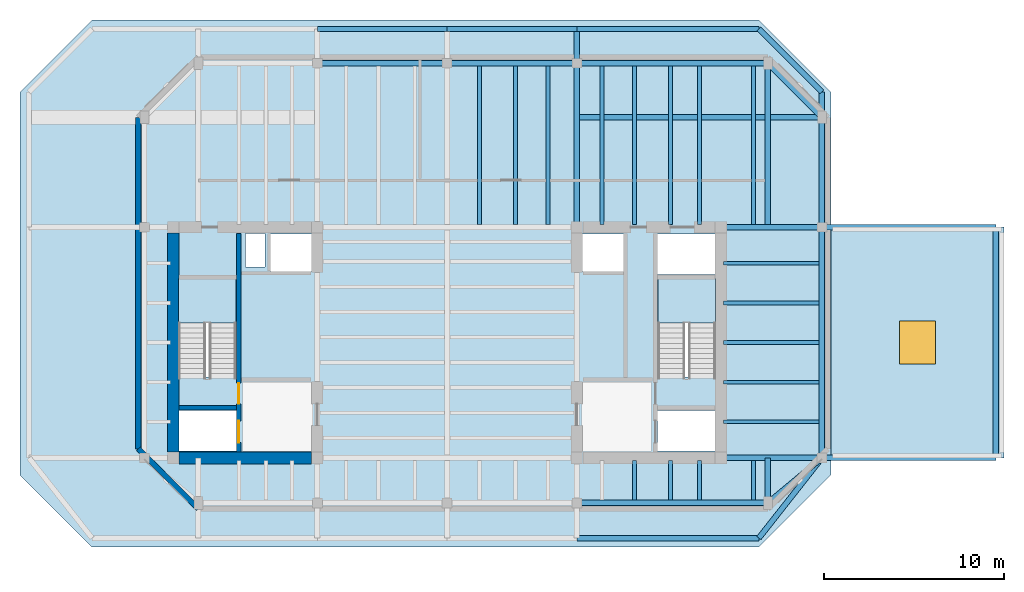
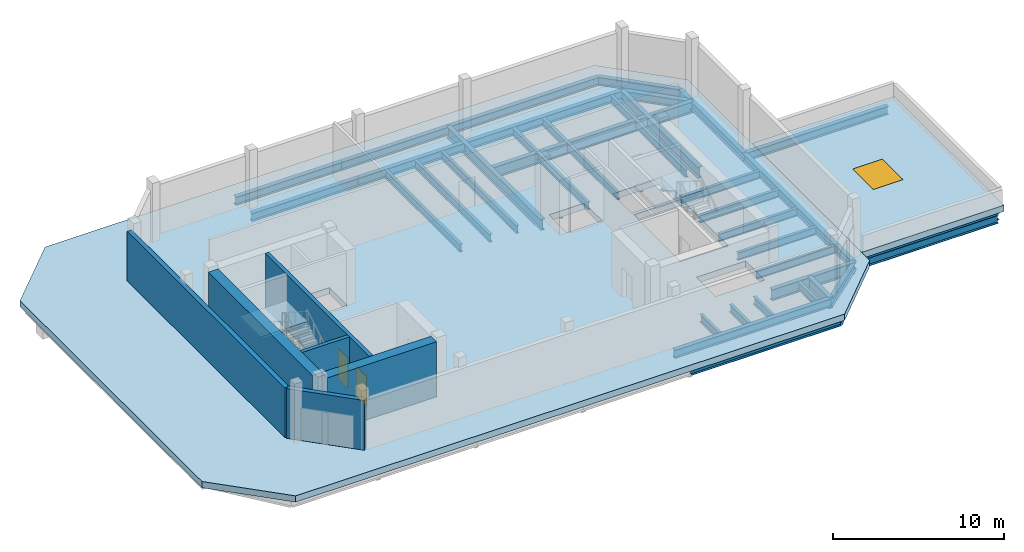
# One storey, part 2 of 5: 40 beams, 6 walls, 4 slabs, 2 doors, 1 window, 3 openings, 2 elements without a shape of their own.
"""IFC4 building model written with IfcOpenShell, lengths in metres."""

from ifc_helpers import new_model, si_unit, direction, frame, frame_2d, origin, origin_2d, place, context, subcontext, project, spatial, polyline, rectangle, i_section, outline, extrude, material, layer, layer_set, material_profile, profile_set, type_object, element, fill, aggregate, save


model = new_model("IFC4")

# Units and contexts
model_context = context("Model", 3, precision=1e-05, world=origin(), true_north=direction((0.0, 1.0)))
body_context = subcontext(model_context, "Body", "Model", "MODEL_VIEW")
ifc_project = project(units=[si_unit("LENGTHUNIT", "METRE"), si_unit("AREAUNIT", "SQUARE_METRE"), si_unit("VOLUMEUNIT", "CUBIC_METRE"), si_unit("PLANEANGLEUNIT", "RADIAN"), si_unit("MASSUNIT", "GRAM", prefix="KILO")], contexts=[model_context])

# Site, building, storey
site_placement = place(None, origin())
site = spatial("IfcSite", under=ifc_project, at=site_placement, CompositionType="ELEMENT")
building_placement = place(site_placement, origin())
building = spatial("IfcBuilding", under=site, at=building_placement, Name="Kranthara Brick Stack", CompositionType="ELEMENT")
storey_placement = place(building_placement, frame((0.0, 0.0, 292.199951171875)))
storey = spatial("IfcBuildingStorey", under=building, at=storey_placement, Name="L77", CompositionType="ELEMENT", Elevation=292.199951171875)

# Beams
ifc_material_1 = material(Name="Steel S355", Category="steel")
ifc_material_profile_1 = material_profile(ifc_material_1, i_section(OverallWidth=0.2099609375, OverallDepth=0.550048828125, WebThickness=0.010986328125, FlangeThickness=0.01708984375, at=origin_2d()), Name="IPE 550")
ifc_profile_set_1 = profile_set([ifc_material_profile_1], Name="Steel S355")
beam_type_1 = type_object("IfcBeamType", Name="BM-JST-IPE550", PredefinedType="JOIST", material=ifc_profile_set_1)
for number, where, z_axis, x_axis, name in (
    (1, (29.800048828125, 33.75, -0.724853515625), (0.0, 1.0, 0.0), (-1.0, 0.0, 0.0), "L77 North Wing Floor Joist 083"),
    (2, (31.800048828125, 33.75, -0.724853515625), (0.0, 1.0, 0.0), (-1.0, 0.0, 0.0), "L77 North Wing Floor Joist 085"),
    (3, (33.60009765625, 33.75, -0.724853515625), (0.0, 1.0, 0.0), (-1.0, 0.0, 0.0), "L77 North Wing Floor Joist 087"),
    (4, (36.60009765625, 33.75, -0.724853515625), (0.0, 1.0, 0.0), (-1.0, 0.0, 0.0), "L77 North Wing Floor Joist 089"),
):
    element("IfcBeam", number, at=place(storey_placement, frame(where, z_axis=z_axis, x_axis=x_axis)), inside=storey, type_object=beam_type_1, Name=name, PredefinedType="JOIST", context=body_context, shape_type="SweptSolid", body=[
        extrude(i_section(OverallWidth=0.2099609375, OverallDepth=0.550048828125, WebThickness=0.010986328125, FlangeThickness=0.01708984375, at=origin_2d()), origin(), (0.0, 0.0, 1.0), 8.800048828125),
    ])
beam_1_placement = place(storey_placement, frame((38.39990234375, 18.449951171875, -0.724853515625), z_axis=(0.0, 1.0, 0.0), x_axis=(-1.0, 0.0, 0.0)))
element("IfcBeam", 5, at=beam_1_placement, inside=storey, type_object=beam_type_1, Name="L77 South Wing Floor Joist 090", PredefinedType="JOIST", context=body_context, shape_type="SweptSolid", body=[
    extrude(i_section(OverallWidth=0.2099609375, OverallDepth=0.550048828125, WebThickness=0.010986328125, FlangeThickness=0.01708984375, at=origin_2d()), origin(), (0.0, 0.0, 1.0), 2.199951171875),
])
beam_2_placement = place(storey_placement, frame((38.39990234375, 33.75, -0.724853515625), z_axis=(0.0, 1.0, 0.0), x_axis=(-1.0, 0.0, 0.0)))
element("IfcBeam", 6, at=beam_2_placement, inside=storey, type_object=beam_type_1, Name="L77 North Wing Floor Joist 091", PredefinedType="JOIST", context=body_context, shape_type="SweptSolid", body=[
    extrude(i_section(OverallWidth=0.2099609375, OverallDepth=0.550048828125, WebThickness=0.010986328125, FlangeThickness=0.01708984375, at=origin_2d()), origin(), (0.0, 0.0, 1.0), 8.800048828125),
])
beam_3_placement = place(storey_placement, frame((40.39990234375, 18.449951171875, -0.724853515625), z_axis=(0.0, 1.0, 0.0), x_axis=(-1.0, 0.0, 0.0)))
element("IfcBeam", 7, at=beam_3_placement, inside=storey, type_object=beam_type_1, Name="L77 South Wing Floor Joist 092", PredefinedType="JOIST", context=body_context, shape_type="SweptSolid", body=[
    extrude(i_section(OverallWidth=0.2099609375, OverallDepth=0.550048828125, WebThickness=0.010986328125, FlangeThickness=0.01708984375, at=origin_2d()), origin(), (0.0, 0.0, 1.0), 2.199951171875),
])
beam_4_placement = place(storey_placement, frame((40.39990234375, 33.75, -0.724853515625), z_axis=(0.0, 1.0, 0.0), x_axis=(-1.0, 0.0, 0.0)))
element("IfcBeam", 8, at=beam_4_placement, inside=storey, type_object=beam_type_1, Name="L77 North Wing Floor Joist 093", PredefinedType="JOIST", context=body_context, shape_type="SweptSolid", body=[
    extrude(i_section(OverallWidth=0.2099609375, OverallDepth=0.550048828125, WebThickness=0.010986328125, FlangeThickness=0.01708984375, at=origin_2d()), origin(), (0.0, 0.0, 1.0), 8.800048828125),
])
beam_5_placement = place(storey_placement, frame((42.0, 18.449951171875, -0.724853515625), z_axis=(0.0, 1.0, 0.0), x_axis=(-1.0, 0.0, 0.0)))
element("IfcBeam", 9, at=beam_5_placement, inside=storey, type_object=beam_type_1, Name="L77 South Wing Floor Joist 094", PredefinedType="JOIST", context=body_context, shape_type="SweptSolid", body=[
    extrude(i_section(OverallWidth=0.2099609375, OverallDepth=0.550048828125, WebThickness=0.010986328125, FlangeThickness=0.01708984375, at=origin_2d()), origin(), (0.0, 0.0, 1.0), 2.199951171875),
])
beam_6_placement = place(storey_placement, frame((42.0, 33.75, -0.724853515625), z_axis=(0.0, 1.0, 0.0), x_axis=(-1.0, 0.0, 0.0)))
element("IfcBeam", 10, at=beam_6_placement, inside=storey, type_object=beam_type_1, Name="L77 North Wing Floor Joist 095", PredefinedType="JOIST", context=body_context, shape_type="SweptSolid", body=[
    extrude(i_section(OverallWidth=0.2099609375, OverallDepth=0.550048828125, WebThickness=0.010986328125, FlangeThickness=0.01708984375, at=origin_2d()), origin(), (0.0, 0.0, 1.0), 8.800048828125),
])
beam_7_placement = place(storey_placement, frame((45.0, 18.449951171875, -0.724853515625), z_axis=(0.0, 1.0, 0.0), x_axis=(-1.0, 0.0, 0.0)))
element("IfcBeam", 11, at=beam_7_placement, inside=storey, type_object=beam_type_1, Name="L77 South Wing Floor Joist 096", PredefinedType="JOIST", context=body_context, shape_type="SweptSolid", body=[
    extrude(i_section(OverallWidth=0.2099609375, OverallDepth=0.550048828125, WebThickness=0.010986328125, FlangeThickness=0.01708984375, at=origin_2d()), origin(), (0.0, 0.0, 1.0), 2.199951171875),
])
beam_8_placement = place(storey_placement, frame((45.0, 33.75, -0.724853515625), z_axis=(0.0, 1.0, 0.0), x_axis=(-1.0, 0.0, 0.0)))
element("IfcBeam", 12, at=beam_8_placement, inside=storey, type_object=beam_type_1, Name="L77 North Wing Floor Joist 097", PredefinedType="JOIST", context=body_context, shape_type="SweptSolid", body=[
    extrude(i_section(OverallWidth=0.2099609375, OverallDepth=0.550048828125, WebThickness=0.010986328125, FlangeThickness=0.01708984375, at=origin_2d()), origin(), (0.0, 0.0, 1.0), 8.800048828125),
])
for number, where, z_axis, x_axis, name in (
    (13, (43.35009765625, 22.800048828125, -0.724853515625), (1.0, 0.0, 0.0), (0.0, 1.0, 0.0), "L77 East Wing Floor Joist 099"),
    (14, (43.35009765625, 25.0, -0.724853515625), (1.0, 0.0, 0.0), (0.0, 1.0, 0.0), "L77 East Wing Floor Joist 101"),
    (15, (43.35009765625, 27.199951171875, -0.724853515625), (1.0, 0.0, 0.0), (0.0, 1.0, 0.0), "L77 East Wing Floor Joist 103"),
    (16, (43.35009765625, 29.39990234375, -0.724853515625), (1.0, 0.0, 0.0), (0.0, 1.0, 0.0), "L77 East Wing Floor Joist 105"),
    (17, (43.35009765625, 31.60009765625, -0.724853515625), (1.0, 0.0, 0.0), (0.0, 1.0, 0.0), "L77 East Wing Floor Joist 107"),
):
    element("IfcBeam", number, at=place(storey_placement, frame(where, z_axis=z_axis, x_axis=x_axis)), inside=storey, type_object=beam_type_1, Name=name, PredefinedType="JOIST", context=body_context, shape_type="SweptSolid", body=[
        extrude(i_section(OverallWidth=0.2099609375, OverallDepth=0.550048828125, WebThickness=0.010986328125, FlangeThickness=0.01708984375, at=origin_2d()), origin(), (0.0, 0.0, 1.0), 5.2998046875),
    ])
ifc_material_2 = material(Name="Steel S355", Category="steel")
ifc_material_profile_2 = material_profile(ifc_material_2, i_section(OverallWidth=0.300048828125, OverallDepth=0.5, WebThickness=0.014404296875, FlangeThickness=0.028076171875, at=origin_2d()), Name="HEB 500")
ifc_profile_set_2 = profile_set([ifc_material_profile_2], Name="Steel S355")
beam_type_2 = type_object("IfcBeamType", Name="BM-STL-HEB500", PredefinedType="BEAM", material=ifc_profile_set_2)
beam_9_placement = place(storey_placement, frame((58.449951171875, 20.800048828125, -0.699951171875), z_axis=(0.0, 1.0, 0.0), x_axis=(-1.0, 0.0, 0.0)))
element("IfcBeam", 18, at=beam_9_placement, inside=storey, type_object=beam_type_2, Name="L77 Sky Pool Roof Edge Beam 110", PredefinedType="BEAM", context=body_context, shape_type="SweptSolid", body=[
    extrude(i_section(OverallWidth=0.300048828125, OverallDepth=0.5, WebThickness=0.014404296875, FlangeThickness=0.028076171875, at=origin_2d()), origin(), (0.0, 0.0, 1.0), 12.800048828125),
])
ifc_material_3 = material(Name="Steel S355", Category="steel")
ifc_material_profile_3 = material_profile(ifc_material_3, i_section(OverallWidth=0.300048828125, OverallDepth=0.60009765625, WebThickness=0.015380859375, FlangeThickness=0.030029296875, at=origin_2d()), Name="HEB 600")
ifc_profile_set_3 = profile_set([ifc_material_profile_3], Name="Steel S355")
beam_type_3 = type_object("IfcBeamType", Name="BM-STL-HEB600", PredefinedType="BEAM", material=ifc_profile_set_3)
beam_10_placement = place(storey_placement, frame((35.199951171875, 16.35009765625, -0.75), z_axis=(1.0, 0.0, 0.0), x_axis=(0.0, 1.0, 0.0)))
element("IfcBeam", 19, at=beam_10_placement, inside=storey, type_object=beam_type_3, Name="L77 Perimeter Spandrel Beam 008", PredefinedType="BEAM", context=body_context, shape_type="SweptSolid", body=[
    extrude(i_section(OverallWidth=0.300048828125, OverallDepth=0.60009765625, WebThickness=0.015380859375, FlangeThickness=0.030029296875, at=origin_2d()), origin(), (0.0, 0.0, 1.0), 10.10009765625),
])
for number, where, z_axis, x_axis, name in (
    (20, (20.800048828125, 44.60009765625, -0.75), (1.0, 0.0, 0.0), (0.0, 1.0, 0.0), "L77 Perimeter Spandrel Beam 010"),
    (21, (28.0, 44.60009765625, -0.75), (1.0, 0.0, 0.0), (0.0, 1.0, 0.0), "L77 Perimeter Spandrel Beam 011"),
):
    element("IfcBeam", number, at=place(storey_placement, frame(where, z_axis=z_axis, x_axis=x_axis)), inside=storey, type_object=beam_type_3, Name=name, PredefinedType="BEAM", context=body_context, shape_type="SweptSolid", body=[
        extrude(i_section(OverallWidth=0.300048828125, OverallDepth=0.60009765625, WebThickness=0.015380859375, FlangeThickness=0.030029296875, at=origin_2d()), origin(), (0.0, 0.0, 1.0), 7.199951171875),
    ])
beam_11_placement = place(storey_placement, frame((35.199951171875, 44.60009765625, -0.75), z_axis=(1.0, 0.0, 0.0), x_axis=(0.0, 1.0, 0.0)))
element("IfcBeam", 22, at=beam_11_placement, inside=storey, type_object=beam_type_3, Name="L77 Perimeter Spandrel Beam 012", PredefinedType="BEAM", context=body_context, shape_type="SweptSolid", body=[
    extrude(i_section(OverallWidth=0.300048828125, OverallDepth=0.60009765625, WebThickness=0.015380859375, FlangeThickness=0.030029296875, at=origin_2d()), origin(), (0.0, 0.0, 1.0), 10.10009765625),
])
beam_12_placement = place(storey_placement, frame((48.800048828125, 20.800048828125, -0.75), z_axis=(0.0, 1.0, 0.0), x_axis=(-1.0, 0.0, 0.0)))
element("IfcBeam", 23, at=beam_12_placement, inside=storey, type_object=beam_type_3, Name="L77 Perimeter Spandrel Beam 015", PredefinedType="BEAM", context=body_context, shape_type="SweptSolid", body=[
    extrude(i_section(OverallWidth=0.300048828125, OverallDepth=0.60009765625, WebThickness=0.015380859375, FlangeThickness=0.030029296875, at=origin_2d()), origin(), (0.0, 0.0, 1.0), 12.800048828125),
])
beam_13_placement = place(storey_placement, frame((48.800048828125, 33.60009765625, -0.75), z_axis=(0.0, 1.0, 0.0), x_axis=(-1.0, 0.0, 0.0)))
element("IfcBeam", 24, at=beam_13_placement, inside=storey, type_object=beam_type_3, Name="L77 Perimeter Spandrel Beam 016", PredefinedType="BEAM", context=body_context, shape_type="SweptSolid", body=[
    extrude(i_section(OverallWidth=0.300048828125, OverallDepth=0.60009765625, WebThickness=0.015380859375, FlangeThickness=0.030029296875, at=origin_2d()), origin(), (0.0, 0.0, 1.0), 7.5),
])
beam_14_placement = place(storey_placement, frame((45.300048828125, 16.35009765625, -0.75), z_axis=(0.618215705636, 0.78600848679, 0.0), x_axis=(-0.78600848679, 0.618215705636, 0.0)))
element("IfcBeam", 25, at=beam_14_placement, inside=storey, type_object=beam_type_3, Name="L77 Chamfer Corner Spandrel 018", PredefinedType="BEAM", context=body_context, shape_type="SweptSolid", body=[
    extrude(i_section(OverallWidth=0.300048828125, OverallDepth=0.60009765625, WebThickness=0.015380859375, FlangeThickness=0.030029296875, at=origin_2d()), origin(), (0.0, 0.0, 1.0), 5.661376953125),
])
beam_15_placement = place(storey_placement, frame((45.300048828125, 44.60009765625, -0.75), z_axis=(0.707106781187, -0.707106781187, 0.0), x_axis=(0.707106781187, 0.707106781187, 0.0)))
element("IfcBeam", 26, at=beam_15_placement, inside=storey, type_object=beam_type_3, Name="L77 Chamfer Corner Spandrel 020", PredefinedType="BEAM", context=body_context, shape_type="SweptSolid", body=[
    extrude(i_section(OverallWidth=0.300048828125, OverallDepth=0.60009765625, WebThickness=0.015380859375, FlangeThickness=0.030029296875, at=origin_2d()), origin(), (0.0, 0.0, 1.0), 4.94970703125),
])
beam_16_placement = place(storey_placement, frame((35.199951171875, 18.300048828125, -0.75), z_axis=(1.0, 0.0, 0.0), x_axis=(0.0, 1.0, 0.0)))
element("IfcBeam", 27, at=beam_16_placement, inside=storey, type_object=beam_type_3, Name="L77 Perimeter Spandrel Beam 024", PredefinedType="BEAM", context=body_context, shape_type="SweptSolid", body=[
    extrude(i_section(OverallWidth=0.300048828125, OverallDepth=0.60009765625, WebThickness=0.015380859375, FlangeThickness=0.030029296875, at=origin_2d()), origin(), (0.0, 0.0, 1.0), 10.60009765625),
])
for number, where, z_axis, x_axis, name in (
    (28, (20.800048828125, 42.699951171875, -0.75), (1.0, 0.0, 0.0), (0.0, 1.0, 0.0), "L77 Perimeter Spandrel Beam 026"),
    (29, (28.0, 42.699951171875, -0.75), (1.0, 0.0, 0.0), (0.0, 1.0, 0.0), "L77 Perimeter Spandrel Beam 027"),
):
    element("IfcBeam", number, at=place(storey_placement, frame(where, z_axis=z_axis, x_axis=x_axis)), inside=storey, type_object=beam_type_3, Name=name, PredefinedType="BEAM", context=body_context, shape_type="SweptSolid", body=[
        extrude(i_section(OverallWidth=0.300048828125, OverallDepth=0.60009765625, WebThickness=0.015380859375, FlangeThickness=0.030029296875, at=origin_2d()), origin(), (0.0, 0.0, 1.0), 7.199951171875),
    ])
beam_17_placement = place(storey_placement, frame((35.199951171875, 42.699951171875, -0.75), z_axis=(1.0, 0.0, 0.0), x_axis=(0.0, 1.0, 0.0)))
element("IfcBeam", 30, at=beam_17_placement, inside=storey, type_object=beam_type_3, Name="L77 Perimeter Spandrel Beam 028", PredefinedType="BEAM", context=body_context, shape_type="SweptSolid", body=[
    extrude(i_section(OverallWidth=0.300048828125, OverallDepth=0.60009765625, WebThickness=0.015380859375, FlangeThickness=0.030029296875, at=origin_2d()), origin(), (0.0, 0.0, 1.0), 10.60009765625),
])
beam_18_placement = place(storey_placement, frame((45.800048828125, 18.300048828125, -0.75), z_axis=(0.768221279597, 0.640184399664, 0.0), x_axis=(-0.640184399664, 0.768221279597, 0.0)))
element("IfcBeam", 31, at=beam_18_placement, inside=storey, type_object=beam_type_3, Name="L77 Chamfer Corner Spandrel 032", PredefinedType="BEAM", context=body_context, shape_type="SweptSolid", body=[
    extrude(i_section(OverallWidth=0.300048828125, OverallDepth=0.60009765625, WebThickness=0.015380859375, FlangeThickness=0.030029296875, at=origin_2d()), origin(), (0.0, 0.0, 1.0), 3.905029296875),
])
beam_19_placement = place(storey_placement, frame((45.800048828125, 42.699951171875, -0.75), z_axis=(0.707106781187, -0.707106781187, 0.0), x_axis=(0.707106781187, 0.707106781187, 0.0)))
element("IfcBeam", 32, at=beam_19_placement, inside=storey, type_object=beam_type_3, Name="L77 Chamfer Corner Spandrel 034", PredefinedType="BEAM", context=body_context, shape_type="SweptSolid", body=[
    extrude(i_section(OverallWidth=0.300048828125, OverallDepth=0.60009765625, WebThickness=0.015380859375, FlangeThickness=0.030029296875, at=origin_2d()), origin(), (0.0, 0.0, 1.0), 4.24267578125),
])
for number, where, z_axis, x_axis, name in (
    (33, (48.800048828125, 20.800048828125, -0.75), (1.0, 0.0, 0.0), (0.0, 1.0, 0.0), "L77 Sky Pool Roof Rafter 108"),
    (34, (48.800048828125, 33.60009765625, -0.75), (1.0, 0.0, 0.0), (0.0, 1.0, 0.0), "L77 Sky Pool Roof Rafter 109"),
):
    element("IfcBeam", number, at=place(storey_placement, frame(where, z_axis=z_axis, x_axis=x_axis)), inside=storey, type_object=beam_type_3, Name=name, PredefinedType="BEAM", context=body_context, shape_type="SweptSolid", body=[
        extrude(i_section(OverallWidth=0.300048828125, OverallDepth=0.60009765625, WebThickness=0.015380859375, FlangeThickness=0.030029296875, at=origin_2d()), origin(), (0.0, 0.0, 1.0), 9.64990234375),
    ])
ifc_material_4 = material(Name="Steel S355", Category="steel")
ifc_material_profile_4 = material_profile(ifc_material_4, i_section(OverallWidth=0.300048828125, OverallDepth=0.800048828125, WebThickness=0.017578125, FlangeThickness=0.032958984375, at=origin_2d()), Name="HEB 800")
ifc_profile_set_4 = profile_set([ifc_material_profile_4], Name="Steel S355")
beam_type_4 = type_object("IfcBeamType", Name="BM-TR-HEB800", PredefinedType="BEAM", material=ifc_profile_set_4)
beam_20_placement = place(storey_placement, frame((35.199951171875, 33.60009765625, -0.849853515625), z_axis=(0.0, 1.0, 0.0), x_axis=(-1.0, 0.0, 0.0)))
element("IfcBeam", 35, at=beam_20_placement, inside=storey, type_object=beam_type_4, Name="L77 Primary Grid Girder 041", PredefinedType="BEAM", context=body_context, shape_type="SweptSolid", body=[
    extrude(i_section(OverallWidth=0.300048828125, OverallDepth=0.800048828125, WebThickness=0.017578125, FlangeThickness=0.032958984375, at=origin_2d()), origin(), (0.0, 0.0, 1.0), 11.0),
])
for number, where, z_axis, x_axis, name in (
    (36, (43.199951171875, 20.800048828125, -0.849853515625), (1.0, 0.0, 0.0), (0.0, 1.0, 0.0), "L77 Primary Grid Girder 043"),
    (37, (43.199951171875, 33.60009765625, -0.849853515625), (1.0, 0.0, 0.0), (0.0, 1.0, 0.0), "L77 Primary Grid Girder 045"),
):
    element("IfcBeam", number, at=place(storey_placement, frame(where, z_axis=z_axis, x_axis=x_axis)), inside=storey, type_object=beam_type_4, Name=name, PredefinedType="BEAM", context=body_context, shape_type="SweptSolid", body=[
        extrude(i_section(OverallWidth=0.300048828125, OverallDepth=0.800048828125, WebThickness=0.017578125, FlangeThickness=0.032958984375, at=origin_2d()), origin(), (0.0, 0.0, 1.0), 5.60009765625),
    ])
beam_21_placement = place(storey_placement, frame((45.800048828125, 18.300048828125, -0.849853515625), z_axis=(0.0, 1.0, 0.0), x_axis=(-1.0, 0.0, 0.0)))
element("IfcBeam", 38, at=beam_21_placement, inside=storey, type_object=beam_type_4, Name="L77 Transfer Tie Girder 048", PredefinedType="BEAM", context=body_context, shape_type="SweptSolid", body=[
    extrude(i_section(OverallWidth=0.300048828125, OverallDepth=0.800048828125, WebThickness=0.017578125, FlangeThickness=0.032958984375, at=origin_2d()), origin(), (0.0, 0.0, 1.0), 2.5),
])
beam_22_placement = place(storey_placement, frame((45.800048828125, 42.699951171875, -0.849853515625), z_axis=(0.0, -1.0, 0.0), x_axis=(1.0, 0.0, 0.0)))
element("IfcBeam", 39, at=beam_22_placement, inside=storey, type_object=beam_type_4, Name="L77 Transfer Tie Girder 049", PredefinedType="BEAM", context=body_context, shape_type="SweptSolid", body=[
    extrude(i_section(OverallWidth=0.300048828125, OverallDepth=0.800048828125, WebThickness=0.017578125, FlangeThickness=0.032958984375, at=origin_2d()), origin(), (0.0, 0.0, 1.0), 9.099853515625),
])
beam_23_placement = place(storey_placement, frame((48.800048828125, 39.699951171875, -0.849853515625), z_axis=(-1.0, 0.0, 0.0), x_axis=(0.0, -1.0, 0.0)))
element("IfcBeam", 40, at=beam_23_placement, inside=storey, type_object=beam_type_4, Name="L77 Transfer Tie Girder 051", PredefinedType="BEAM", context=body_context, shape_type="SweptSolid", body=[
    extrude(i_section(OverallWidth=0.300048828125, OverallDepth=0.800048828125, WebThickness=0.017578125, FlangeThickness=0.032958984375, at=origin_2d()), origin(), (0.0, 0.0, 1.0), 13.60009765625),
])

# Stair, slab
ifc_material_5 = material(Name="Concrete C45/55", Category="concrete")
stair_type = type_object("IfcStairType", Name="ST-CORE-24R", PredefinedType="HALF_TURN_STAIR", material=ifc_material_5)
stair_1_placement = place(storey_placement, origin())
stair_1 = element("IfcStair", 41, at=stair_1_placement, inside=storey, type_object=stair_type, Name="L77 West Core Protected Exit Stair ST01", PredefinedType="HALF_TURN_STAIR")
ifc_material_6 = material(Name="Concrete C45/55", Category="concrete")
ifc_layer_1 = layer(ifc_material_6, 0.199951171875)
ifc_layer_set_1 = layer_set([ifc_layer_1], Name="Concrete C45/55")
slab_type_1 = type_object("IfcSlabType", Name="SLB-LANDING-200", PredefinedType="LANDING", material=ifc_layer_set_1)
slab_1_placement = place(storey_placement, frame((0.0, 0.0, 1.900146484375)))
slab_1 = element("IfcSlab", 42, at=slab_1_placement, type_object=slab_type_1, Name="ST01 landing 1", PredefinedType="LANDING", context=body_context, shape_type="SweptSolid", body=[
    extrude(outline(polyline([(16.300048828125, 28.280029296875), (16.300048828125, 30.75), (13.10009765625, 30.75), (13.10009765625, 28.280029296875), (16.300048828125, 28.280029296875)])), origin(), (0.0, 0.0, 1.0), 0.199951171875),
])
aggregate(stair_1, [slab_1])

stair_2_placement = place(storey_placement, origin())
stair_2 = element("IfcStair", 43, at=stair_2_placement, inside=storey, type_object=stair_type, Name="L77 East Core Protected Exit Stair ST02", PredefinedType="HALF_TURN_STAIR")
slab_2_placement = place(storey_placement, frame((0.0, 0.0, 1.900146484375)))
slab_2 = element("IfcSlab", 44, at=slab_2_placement, type_object=slab_type_1, Name="ST02 landing 1", PredefinedType="LANDING", context=body_context, shape_type="SweptSolid", body=[
    extrude(outline(polyline([(42.89990234375, 28.280029296875), (42.89990234375, 30.75), (39.699951171875, 30.75), (39.699951171875, 28.280029296875), (42.89990234375, 28.280029296875)])), origin(), (0.0, 0.0, 1.0), 0.199951171875),
])
aggregate(stair_2, [slab_2])

# Slab, opening, window
ifc_material_7 = material(Name="Concrete C45/55", Category="concrete")
ifc_layer_2 = layer(ifc_material_7, 0.449951171875)
ifc_layer_set_2 = layer_set([ifc_layer_2], Name="Concrete C45/55")
slab_type_2 = type_object("IfcSlabType", Name="SLB-TERR-450", PredefinedType="ROOF", material=ifc_layer_set_2)
slab_3_placement = place(storey_placement, frame((0.0, 0.0, -0.449951171875)))
slab_3 = element("IfcSlab", 45, at=slab_3_placement, inside=storey, type_object=slab_type_2, Name="L77 Sky Pool Cantilever Flat Roof Slab", PredefinedType="ROOF", context=body_context, shape_type="SweptSolid", body=[
    extrude(outline(polyline([(49.300048828125, 20.800048828125), (58.89990234375, 20.800048828125), (58.89990234375, 33.60009765625), (49.300048828125, 33.60009765625), (49.300048828125, 20.800048828125)]), holes=[polyline([(53.10009765625, 26.0), (55.10009765625, 26.0), (55.10009765625, 28.39990234375), (53.10009765625, 28.39990234375), (53.10009765625, 26.0)])]), origin(), (0.0, 0.0, 1.0), 0.449951171875),
])
opening_1_placement = place(slab_3_placement, frame((54.10009765625, 27.199951171875, 0.0)))
opening_1 = element("IfcOpeningElement", 46, at=opening_1_placement, cuts=slab_3, Name="Opening WN12", PredefinedType="OPENING", context=body_context, shape_type="SweptSolid", body=[
    extrude(rectangle(XDim=2.0, YDim=2.39990234375, at=origin_2d()), origin(), (0.0, 0.0, 1.0), 0.449951171875),
])
ifc_material_8 = material(Name="Double-glazed low-E solar control glass", Category="glass")
window_type = type_object("IfcWindowType", Name="WN-SKY-2000x2400", PartitioningType="SINGLE_PANEL", PredefinedType="SKYLIGHT", material=ifc_material_8)
window_placement = place(opening_1_placement, frame((0.0, 0.0, 0.39990234375)))
window = element("IfcWindow", 47, at=window_placement, inside=storey, type_object=window_type, Name="L77 Terrace Roof Skylight 06", OverallHeight=2.39990234375, OverallWidth=2.0, PartitioningType="SINGLE_PANEL", PredefinedType="SKYLIGHT", context=body_context, shape_type="SweptSolid", body=[
    extrude(rectangle(XDim=2.0, YDim=2.39990234375, at=origin_2d()), origin(), (0.0, 0.0, 1.0), 0.050048828125),
])
fill(opening_1, window)

# Slab
ifc_material_9 = material(Name="Post-tensioned concrete C50/60", Category="concrete")
ifc_layer_3 = layer(ifc_material_9, 0.449951171875)
ifc_layer_set_3 = layer_set([ifc_layer_3], Name="Post-tensioned concrete C50/60")
slab_type_3 = type_object("IfcSlabType", Name="SLB-TRANS-450", PredefinedType="FLOOR", material=ifc_layer_set_3)
slab_4_placement = place(storey_placement, frame((0.0, 0.0, -0.449951171875)))
element("IfcSlab", 48, at=slab_4_placement, inside=storey, type_object=slab_type_3, Name="L77 Structural Floor Plate", PredefinedType="FLOOR", context=body_context, shape_type="SweptSolid", body=[
    extrude(outline(polyline([(8.300048828125, 15.85009765625), (45.300048828125, 15.85009765625), (49.300048828125, 19.85009765625), (49.300048828125, 41.10009765625), (45.300048828125, 45.10009765625), (8.300048828125, 45.10009765625), (4.300048828125, 41.10009765625), (4.300048828125, 19.85009765625), (8.300048828125, 15.85009765625)]), holes=[polyline([(13.10009765625, 25.280029296875), (16.300048828125, 25.280029296875), (16.300048828125, 30.75), (13.10009765625, 30.75), (13.10009765625, 25.280029296875)]), polyline([(39.699951171875, 25.280029296875), (42.89990234375, 25.280029296875), (42.89990234375, 30.75), (39.699951171875, 30.75), (39.699951171875, 25.280029296875)]), polyline([(13.0, 21.179931640625), (16.320068359375, 21.179931640625), (16.320068359375, 23.419921875), (13.0, 23.419921875), (13.0, 21.179931640625)]), polyline([(39.679931640625, 21.179931640625), (43.0, 21.179931640625), (43.0, 23.419921875), (39.679931640625, 23.419921875), (39.679931640625, 21.179931640625)]), polyline([(39.679931640625, 30.97998046875), (43.0, 30.97998046875), (43.0, 33.219970703125), (39.679931640625, 33.219970703125), (39.679931640625, 30.97998046875)]), polyline([(18.199951171875, 31.14990234375), (20.60009765625, 31.14990234375), (20.60009765625, 33.219970703125), (18.199951171875, 33.219970703125), (18.199951171875, 31.14990234375)]), polyline([(35.39990234375, 31.14990234375), (37.800048828125, 31.14990234375), (37.800048828125, 33.219970703125), (35.39990234375, 33.219970703125), (35.39990234375, 31.14990234375)]), polyline([(16.800048828125, 31.39990234375), (17.89990234375, 31.39990234375), (17.89990234375, 33.25), (16.800048828125, 33.25), (16.800048828125, 31.39990234375)])]), origin(), (0.0, 0.0, 1.0), 0.449951171875),
])

# Walls
ifc_material_10 = material(Name="Precast concrete C45/55", Category="concrete")
ifc_layer_4 = layer(ifc_material_10, 0.300048828125)
ifc_layer_set_4 = layer_set([ifc_layer_4], Name="Precast concrete C45/55")
wall_type_1 = type_object("IfcWallType", Name="WL-BRK-CRWN-300", PredefinedType="STANDARD", material=ifc_layer_set_4)
wall_1_placement = place(storey_placement, frame((14.199951171875, 17.969970703125, 0.0), z_axis=(0.0, 0.0, 1.0), x_axis=(-0.707080859425, 0.707132701998, 0.0)))
element("IfcWall", 49, at=wall_1_placement, inside=storey, type_object=wall_type_1, Name="L77 Exterior Brick Facade Wall SW 1", PredefinedType="STANDARD", context=body_context, shape_type="SweptSolid", body=[
    extrude(rectangle(XDim=4.709228515625, YDim=0.300048828125, at=frame_2d((2.3544921875, 0.0))), origin(), (0.0, 0.0, 1.0), 3.545166015625),
])
wall_2_placement = place(storey_placement, frame((10.8701171875, 21.300048828125, 0.0), z_axis=(0.0, 0.0, 1.0), x_axis=(0.0, 1.0, 0.0)))
element("IfcWall", 50, at=wall_2_placement, inside=storey, type_object=wall_type_1, Name="L77 Exterior Brick Facade Wall WEST 1", PredefinedType="STANDARD", context=body_context, shape_type="SweptSolid", body=[
    extrude(rectangle(XDim=18.39990234375, YDim=0.300048828125, at=frame_2d((9.199951171875, 0.0))), origin(), (0.0, 0.0, 1.0), 3.545166015625),
])

# Wall, openings, doors
ifc_material_11 = material(Name="Concrete C50/60", Category="concrete")
ifc_layer_5 = layer(ifc_material_11, 0.25)
ifc_layer_set_5 = layer_set([ifc_layer_5], Name="Concrete C50/60")
wall_type_2 = type_object("IfcWallType", Name="WL-CORE-250", PredefinedType="SHEAR", material=ifc_layer_set_5)
wall_3_placement = place(storey_placement, frame((16.43505859375, 21.135009765625, 0.0), z_axis=(0.0, 0.0, 1.0), x_axis=(0.0, 1.0, 0.0)))
wall_3 = element("IfcWall", 51, at=wall_3_placement, inside=storey, type_object=wall_type_2, Name="L77 West Core Stair Bearing Spine Wall", PredefinedType="SHEAR", context=body_context, shape_type="SweptSolid", body=[
    extrude(rectangle(XDim=12.1298828125, YDim=0.25, at=frame_2d((6.06494140625, 0.0))), origin(), (0.0, 0.0, 1.0), 3.920166015625),
])
opening_2_placement = place(wall_3_placement, frame((0.514892578125, 0.0, 0.0)))
opening_2 = element("IfcOpeningElement", 52, at=opening_2_placement, cuts=wall_3, Name="Opening LD01", PredefinedType="OPENING", context=body_context, shape_type="SweptSolid", body=[
    extrude(rectangle(XDim=1.199951171875, YDim=2.14990234375, at=frame_2d((0.60009765625, 1.074951171875))), frame((0.0, 0.135009765625, 0.0), z_axis=(0.0, -1.0, 0.0), x_axis=(1.0, 0.0, 0.0)), (0.0, 0.0, 1.0), 0.27001953125),
])
opening_3_placement = place(wall_3_placement, frame((2.6650390625, 0.0, 0.0)))
opening_3 = element("IfcOpeningElement", 53, at=opening_3_placement, cuts=wall_3, Name="Opening D05", PredefinedType="OPENING", context=body_context, shape_type="SweptSolid", body=[
    extrude(rectangle(XDim=1.14990234375, YDim=2.14990234375, at=frame_2d((0.574951171875, 1.074951171875))), frame((0.0, 0.135009765625, 0.0), z_axis=(0.0, -1.0, 0.0), x_axis=(1.0, 0.0, 0.0)), (0.0, 0.0, 1.0), 0.27001953125),
])
ifc_material_12 = material(Name="Stainless steel sliding landing door", Category="steel")
door_type_1 = type_object("IfcDoorType", Name="DR-LD-FF1200", OperationType="DOUBLE_DOOR_SLIDING", PredefinedType="DOOR", material=ifc_material_12)
door_1_placement = place(opening_2_placement, origin())
door_1 = element("IfcDoor", 54, at=door_1_placement, inside=storey, type_object=door_type_1, Name="L77 Firefighting Lift FF-01 Landing Door", OperationType="DOUBLE_DOOR_SLIDING", OverallHeight=2.14990234375, OverallWidth=1.199951171875, PredefinedType="DOOR", context=body_context, shape_type="SweptSolid", body=[
    extrude(rectangle(XDim=1.199951171875, YDim=2.14990234375, at=frame_2d((0.60009765625, 1.074951171875))), frame((0.0, 0.02490234375, 0.0), z_axis=(0.0, -1.0, 0.0), x_axis=(1.0, 0.0, 0.0)), (0.0, 0.0, 1.0), 0.050048828125),
])
fill(opening_2, door_1)
ifc_material_13 = material(Name="Solid-core hardwood timber leaf in steel frame", Category="steel")
door_type_2 = type_object("IfcDoorType", Name="DR-ST-1150", OperationType="NOTDEFINED", PredefinedType="DOOR", material=ifc_material_13)
door_2_placement = place(opening_3_placement, origin())
door_2 = element("IfcDoor", 55, at=door_2_placement, inside=storey, type_object=door_type_2, Name="L77 Exit Stair ST01 Door", OperationType="SINGLE_SWING_RIGHT", OverallHeight=2.14990234375, OverallWidth=1.14990234375, PredefinedType="DOOR", context=body_context, shape_type="SweptSolid", body=[
    extrude(rectangle(XDim=1.14990234375, YDim=2.14990234375, at=frame_2d((0.574951171875, 1.074951171875))), frame((0.0, 0.02490234375, 0.0), z_axis=(0.0, -1.0, 0.0), x_axis=(1.0, 0.0, 0.0)), (0.0, 0.0, 1.0), 0.050048828125),
])
fill(opening_3, door_2)

# Walls
wall_4_placement = place(storey_placement, frame((13.135009765625, 23.570068359375, 0.0), z_axis=(0.0, 0.0, 1.0), x_axis=(1.0, 0.0, 0.0)))
element("IfcWall", 56, at=wall_4_placement, inside=storey, type_object=wall_type_2, Name="L77 West Stairwell Bearing Wall WFF", PredefinedType="SHEAR", context=body_context, shape_type="SweptSolid", body=[
    extrude(rectangle(XDim=3.175048828125, YDim=0.25, at=frame_2d((1.58740234375, 0.0))), origin(), (0.0, 0.0, 1.0), 3.920166015625),
])
ifc_material_14 = material(Name="Concrete C60/75", Category="concrete")
ifc_layer_6 = layer(ifc_material_14, 0.64990234375)
ifc_layer_set_6 = layer_set([ifc_layer_6], Name="Concrete C60/75")
wall_type_3 = type_object("IfcWallType", Name="WL-CORE-650", PredefinedType="SHEAR", material=ifc_layer_set_6)
wall_5_placement = place(storey_placement, frame((12.800048828125, 21.1298828125, 0.0), z_axis=(0.0, 0.0, 1.0), x_axis=(0.0, 1.0, 0.0)))
element("IfcWall", 57, at=wall_5_placement, inside=storey, type_object=wall_type_3, Name="L77 West Core Shear Wall West", PredefinedType="SHEAR", context=body_context, shape_type="SweptSolid", body=[
    extrude(rectangle(XDim=12.14013671875, YDim=0.64990234375, at=frame_2d((6.070068359375, 0.0))), origin(), (0.0, 0.0, 1.0), 3.920166015625),
])
wall_6_placement = place(storey_placement, frame((13.1298828125, 20.800048828125, 0.0), z_axis=(0.0, 0.0, 1.0), x_axis=(1.0, 0.0, 0.0)))
element("IfcWall", 58, at=wall_6_placement, inside=storey, type_object=wall_type_3, Name="L77 West Core Shear Wall South", PredefinedType="SHEAR", context=body_context, shape_type="SweptSolid", body=[
    extrude(rectangle(XDim=7.340087890625, YDim=0.64990234375, at=frame_2d((3.669921875, 0.0))), origin(), (0.0, 0.0, 1.0), 3.920166015625),
])

save(model, "model.ifc")
